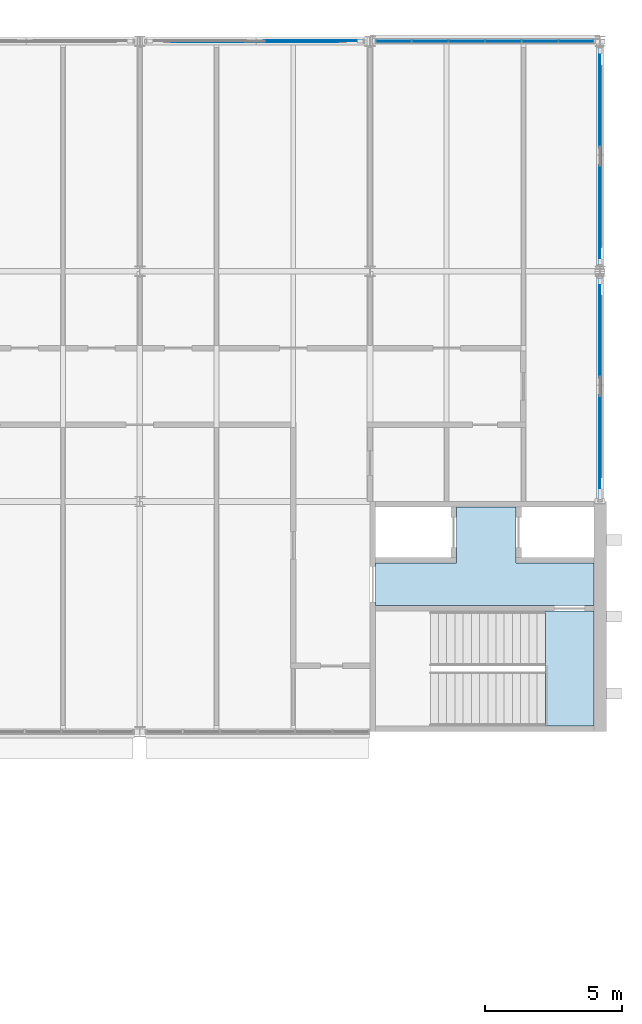
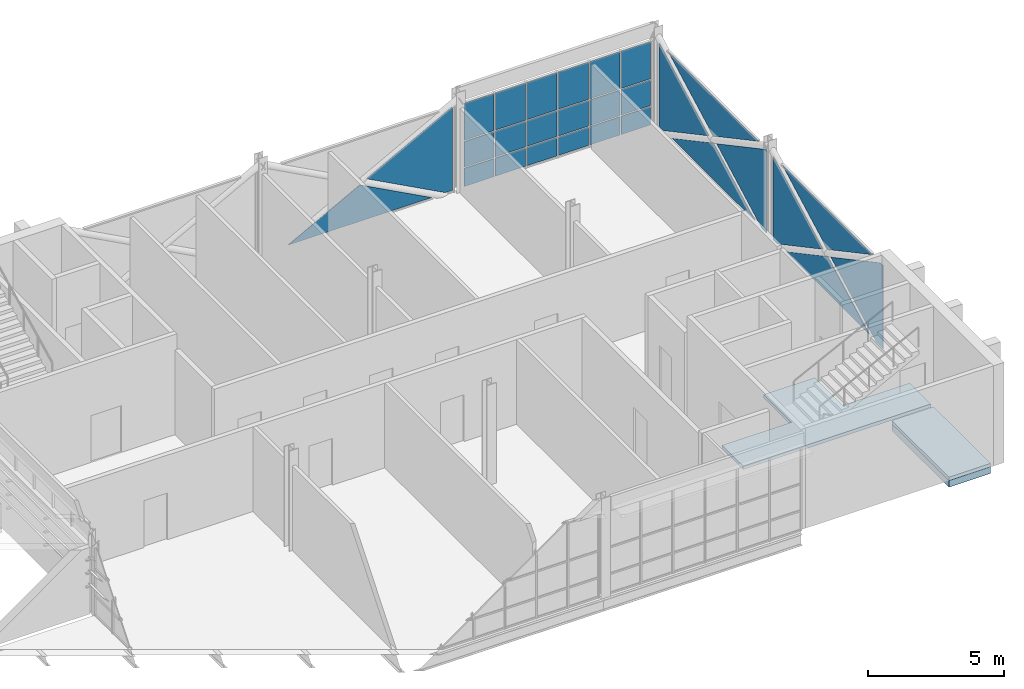
# One storey, part 19 of 29: 28 plates, 3 slabs, 4 elements without a shape of their own.
"""IFC4 building model written with IfcOpenShell, lengths in metres."""

from ifc_helpers import new_model, si_unit, direction, frame, origin, origin_2d, place, context, subcontext, project, spatial, polyline, rectangle, outline, extrude, material, layer, layer_set, type_object, element, aggregate, save


model = new_model("IFC4")

# Units and contexts
model_context = context("Model", 3, precision=1e-05, world=origin(), true_north=direction((0.0, 1.0)))
body_context = subcontext(model_context, "Body", "Model", "MODEL_VIEW")
ifc_project = project(units=[si_unit("LENGTHUNIT", "METRE"), si_unit("AREAUNIT", "SQUARE_METRE"), si_unit("VOLUMEUNIT", "CUBIC_METRE"), si_unit("PLANEANGLEUNIT", "RADIAN"), si_unit("MASSUNIT", "GRAM", prefix="KILO")], contexts=[model_context])

# Site, building, storey
site_placement = place(None, origin())
site = spatial("IfcSite", under=ifc_project, at=site_placement, CompositionType="ELEMENT")
building_placement = place(site_placement, origin())
building = spatial("IfcBuilding", under=site, at=building_placement, Name="Ardhachandra Cancer Care Centre", CompositionType="ELEMENT")
storey_placement = place(building_placement, frame((0.0, 0.0, 13.5)))
storey = spatial("IfcBuildingStorey", under=building, at=storey_placement, Name="L03", CompositionType="ELEMENT", Elevation=13.5)

# Slabs
ifc_material_1 = material(Name="Concrete M40", Category="concrete")
ifc_layer_1 = layer(ifc_material_1, 0.14990234375)
ifc_layer_set_1 = layer_set([ifc_layer_1], Name="Concrete M40")
slab_type_1 = type_object("IfcSlabType", Name="Core floor slab 150", PredefinedType="FLOOR", material=ifc_layer_set_1)
slab_1_placement = place(storey_placement, frame((0.0, 0.0, -0.14990234375)))
element("IfcSlab", 1, at=slab_1_placement, inside=storey, type_object=slab_type_1, Name="Core floor slab K13 L03 1", PredefinedType="FLOOR", context=body_context, shape_type="SweptSolid", body=[
    extrude(outline(polyline([(144.97509765625, 80.0), (144.97509765625, 84.199951171875), (143.199951171875, 84.199951171875), (143.199951171875, 80.0), (144.97509765625, 80.0)])), origin(), (0.0, 0.0, 1.0), 0.14990234375),
])
slab_2_placement = place(storey_placement, frame((0.0, 0.0, -0.14990234375)))
element("IfcSlab", 2, at=slab_2_placement, inside=storey, type_object=slab_type_1, Name="Core floor slab K13 L03 2", PredefinedType="FLOOR", context=body_context, shape_type="SweptSolid", body=[
    extrude(outline(polyline([(139.949951171875, 88.0), (139.949951171875, 86.14990234375), (139.949951171875, 85.949951171875), (137.0, 85.949951171875), (137.0, 84.39990234375), (144.97509765625, 84.39990234375), (144.97509765625, 85.949951171875), (142.125, 85.949951171875), (142.125, 86.14990234375), (142.125, 88.0), (139.949951171875, 88.0)])), origin(), (0.0, 0.0, 1.0), 0.14990234375),
])
ifc_material_2 = material(Name="Concrete M40", Category="concrete")
ifc_layer_2 = layer(ifc_material_2, 0.300048828125)
ifc_layer_set_2 = layer_set([ifc_layer_2], Name="Concrete M40")
slab_type_2 = type_object("IfcSlabType", Name="Core stair edge slab 300", PredefinedType="FLOOR", material=ifc_layer_set_2)
slab_3_placement = place(storey_placement, frame((0.0, 0.0, -0.449951171875)))
element("IfcSlab", 3, at=slab_3_placement, inside=storey, type_object=slab_type_2, Name="Core stair edge slab K13 L03", PredefinedType="FLOOR", context=body_context, shape_type="SweptSolid", body=[
    extrude(outline(polyline([(143.199951171875, 80.0), (143.199951171875, 84.199951171875), (144.97509765625, 84.199951171875), (144.97509765625, 80.0), (143.199951171875, 80.0)])), origin(), (0.0, 0.0, 1.0), 0.300048828125),
])

# Curtain wall, plates
ifc_material_3 = material(Name="Aluminium extrusion", Category="aluminium")
ifc_layer_3 = layer(ifc_material_3, 0.14990234375)
ifc_layer_set_3 = layer_set([ifc_layer_3], Name="Aluminium extrusion")
curtain_wall_type = type_object("IfcCurtainWallType", Name="Curtain wall run", PredefinedType="NOTDEFINED", material=ifc_layer_set_3)
curtain_wall_1_placement = place(storey_placement, origin())
curtain_wall_1 = element("IfcCurtainWall", 4, at=curtain_wall_1_placement, inside=storey, type_object=curtain_wall_type, Name="Curtain wall L03 e/0145200_0088200", PredefinedType="NOTDEFINED")
ifc_material_4 = material(Name="Low-iron double-glazed unit")
ifc_layer_4 = layer(ifc_material_4, 0.028076171875)
ifc_layer_set_4 = layer_set([ifc_layer_4], Name="Low-iron double-glazed unit")
plate_type_1 = type_object("IfcPlateType", Name="Curtain wall glazing 28", PredefinedType="CURTAIN_PANEL", material=ifc_layer_set_4)
plate_1_placement = place(storey_placement, frame((145.199951171875, 96.35791015625, 3.7900390625), z_axis=(-1.0, 0.0, 0.0), x_axis=(0.0, 0.0, -1.0)))
plate_1 = element("IfcPlate", 5, at=plate_1_placement, type_object=plate_type_1, Name="CW panel 1.1", PredefinedType="CURTAIN_PANEL", context=body_context, shape_type="SweptSolid", body=[
    extrude(outline(polyline([(0.0, 0.0), (3.72998046875, 0.0), (3.72998046875, 0.325439453125), (1.93994140625, 3.666748046875), (0.0, 0.04541015625), (0.0, 0.0)])), origin(), (0.0, 0.0, 1.0), 0.028076171875),
])
plate_2_placement = place(storey_placement, frame((145.199951171875, 95.730224609375, 3.7900390625), z_axis=(-1.0, 0.0, 0.0), x_axis=(0.0, -0.881498222146, -0.472187340314)))
plate_2 = element("IfcPlate", 6, at=plate_2_placement, type_object=plate_type_1, Name="CW panel 1.1", PredefinedType="CURTAIN_PANEL", context=body_context, shape_type="SweptSolid", body=[
    extrude(outline(polyline([(0.0, 0.0), (3.778076171875, 0.0), (5.87109375, 3.14501953125), (0.0, 0.0)])), frame((0.0, 0.0, -0.028076171875)), (0.0, 0.0, 1.0), 0.028076171875),
])
plate_3_placement = place(storey_placement, frame((145.199951171875, 88.260009765625, 0.06005859375), z_axis=(-1.0, 0.0, 0.0), x_axis=(0.0, 0.0, 1.0)))
plate_3 = element("IfcPlate", 7, at=plate_3_placement, type_object=plate_type_1, Name="CW panel 1.1", PredefinedType="CURTAIN_PANEL", context=body_context, shape_type="SweptSolid", body=[
    extrude(outline(polyline([(0.0, 0.0), (3.72998046875, 0.0), (3.72998046875, 0.2275390625), (1.7900390625, 3.848876953125), (0.0, 0.507568359375), (0.0, 0.0)])), origin(), (0.0, 0.0, 1.0), 0.028076171875),
])
plate_4_placement = place(storey_placement, frame((145.199951171875, 89.349853515625, 0.06005859375), z_axis=(-1.0, 0.0, 0.0), x_axis=(0.0, 0.881470529599, 0.472239034228)))
plate_4 = element("IfcPlate", 8, at=plate_4_placement, type_object=plate_type_1, Name="CW panel 1.1", PredefinedType="CURTAIN_PANEL", context=body_context, shape_type="SweptSolid", body=[
    extrude(outline(polyline([(0.0, 0.0), (3.460205078125, 0.0), (5.377197265625, 2.880859375), (0.0, 0.0)])), frame((0.0, 0.0, -0.028076171875)), (0.0, 0.0, 1.0), 0.028076171875),
])
aggregate(curtain_wall_1, [plate_1, plate_2, plate_3, plate_4])

curtain_wall_2_placement = place(storey_placement, origin())
curtain_wall_2 = element("IfcCurtainWall", 9, at=curtain_wall_2_placement, inside=storey, type_object=curtain_wall_type, Name="Curtain wall L03 e/0145200_0096600", PredefinedType="NOTDEFINED")
plate_5_placement = place(storey_placement, frame((145.199951171875, 104.758056640625, 3.7900390625), z_axis=(-1.0, 0.0, 0.0), x_axis=(0.0, 0.0, -1.0)))
plate_5 = element("IfcPlate", 10, at=plate_5_placement, type_object=plate_type_1, Name="CW panel 1.1", PredefinedType="CURTAIN_PANEL", context=body_context, shape_type="SweptSolid", body=[
    extrude(outline(polyline([(0.0, 0.0), (3.72998046875, 0.0), (3.72998046875, 0.325439453125), (1.93994140625, 3.6669921875), (0.0, 0.045654296875), (0.0, 0.0)])), origin(), (0.0, 0.0, 1.0), 0.028076171875),
])
plate_6_placement = place(storey_placement, frame((145.199951171875, 104.130126953125, 3.7900390625), z_axis=(-1.0, 0.0, 0.0), x_axis=(0.0, -0.881483812908, -0.47221423907)))
plate_6 = element("IfcPlate", 11, at=plate_6_placement, type_object=plate_type_1, Name="CW panel 1.1", PredefinedType="CURTAIN_PANEL", context=body_context, shape_type="SweptSolid", body=[
    extrude(outline(polyline([(0.0, 0.0), (3.77783203125, 0.0), (5.87109375, 3.14501953125), (0.0, 0.0)])), frame((0.0, 0.0, -0.028076171875)), (0.0, 0.0, 1.0), 0.028076171875),
])
plate_7_placement = place(storey_placement, frame((145.199951171875, 96.842041015625, 0.06005859375), z_axis=(-1.0, 0.0, 0.0), x_axis=(0.0, 0.0, 1.0)))
plate_7 = element("IfcPlate", 12, at=plate_7_placement, type_object=plate_type_1, Name="CW panel 1.1", PredefinedType="CURTAIN_PANEL", context=body_context, shape_type="SweptSolid", body=[
    extrude(outline(polyline([(0.0, 0.0), (3.72998046875, 0.0), (3.72998046875, 0.04541015625), (1.7900390625, 3.666748046875), (0.0, 0.325439453125), (0.0, 0.0)])), origin(), (0.0, 0.0, 1.0), 0.028076171875),
])
plate_8_placement = place(storey_placement, frame((145.199951171875, 97.749755859375, 0.06005859375), z_axis=(-1.0, 0.0, 0.0), x_axis=(0.0, 0.881486263061, 0.472209665333)))
plate_8 = element("IfcPlate", 13, at=plate_8_placement, type_object=plate_type_1, Name="CW panel 1.1", PredefinedType="CURTAIN_PANEL", context=body_context, shape_type="SweptSolid", body=[
    extrude(outline(polyline([(0.0, 0.0), (3.46044921875, 0.0), (5.37744140625, 2.880615234375), (0.0, 0.0)])), frame((0.0, 0.0, -0.028076171875)), (0.0, 0.0, 1.0), 0.028076171875),
])
aggregate(curtain_wall_2, [plate_5, plate_6, plate_7, plate_8])

curtain_wall_3_placement = place(storey_placement, origin())
curtain_wall_3 = element("IfcCurtainWall", 14, at=curtain_wall_3_placement, inside=storey, type_object=curtain_wall_type, Name="Curtain wall L03 n/0128400_0105000", PredefinedType="NOTDEFINED")
plate_9_placement = place(storey_placement, frame((136.554443359375, 105.0, 3.7900390625), z_axis=(0.0, 1.0, 0.0), x_axis=(0.0, 0.0, -1.0)))
plate_9 = element("IfcPlate", 15, at=plate_9_placement, type_object=plate_type_1, Name="CW panel 1.1", PredefinedType="CURTAIN_PANEL", context=body_context, shape_type="SweptSolid", body=[
    extrude(outline(polyline([(0.0, 0.0), (3.72998046875, 0.0), (3.72998046875, 0.322021484375), (1.93994140625, 3.663330078125), (0.0, 0.0419921875), (0.0, 0.0)])), origin(), (0.0, 0.0, 1.0), 0.028076171875),
])
plate_10_placement = place(storey_placement, frame((129.5498046875, 105.0, 0.06005859375), z_axis=(0.0, 1.0, 0.0), x_axis=(0.881486263061, 0.0, 0.472209665333)))
plate_10 = element("IfcPlate", 16, at=plate_10_placement, type_object=plate_type_1, Name="CW panel 1.1", PredefinedType="CURTAIN_PANEL", context=body_context, shape_type="SweptSolid", body=[
    extrude(outline(polyline([(0.0, 0.0), (3.46044921875, 0.0), (5.37744140625, 2.880615234375), (0.0, 0.0)])), frame((0.0, 0.0, -0.028076171875)), (0.0, 0.0, 1.0), 0.028076171875),
])
aggregate(curtain_wall_3, [plate_9, plate_10])

curtain_wall_4_placement = place(storey_placement, origin())
curtain_wall_4 = element("IfcCurtainWall", 17, at=curtain_wall_4_placement, inside=storey, type_object=curtain_wall_type, Name="Curtain wall L03 n/0136800_0105000", PredefinedType="NOTDEFINED")
plate_11_placement = place(storey_placement, frame((137.669677734375, 105.0, 0.93017578125), z_axis=(0.0, 0.0, 1.0), x_axis=(1.0, 0.0, 0.0)))
plate_11 = element("IfcPlate", 18, at=plate_11_placement, type_object=plate_type_1, Name="CW panel 1.2", PredefinedType="CURTAIN_PANEL", context=body_context, shape_type="SweptSolid", body=[
    extrude(rectangle(XDim=1.248046875, YDim=0.028076171875, at=origin_2d()), origin(), (0.0, 0.0, 1.0), 1.139892578125),
])
plate_12_placement = place(storey_placement, frame((137.669677734375, 105.0, 2.1298828125), z_axis=(0.0, 0.0, 1.0), x_axis=(1.0, 0.0, 0.0)))
plate_12 = element("IfcPlate", 19, at=plate_12_placement, type_object=plate_type_1, Name="CW panel 1.3", PredefinedType="CURTAIN_PANEL", context=body_context, shape_type="SweptSolid", body=[
    extrude(rectangle(XDim=1.248046875, YDim=0.028076171875, at=origin_2d()), origin(), (0.0, 0.0, 1.0), 1.659912109375),
])
plate_13_placement = place(storey_placement, frame((138.99267578125, 105.0, 0.93017578125), z_axis=(0.0, 0.0, 1.0), x_axis=(1.0, 0.0, 0.0)))
plate_13 = element("IfcPlate", 20, at=plate_13_placement, type_object=plate_type_1, Name="CW panel 2.2", PredefinedType="CURTAIN_PANEL", context=body_context, shape_type="SweptSolid", body=[
    extrude(rectangle(XDim=1.278076171875, YDim=0.028076171875, at=origin_2d()), origin(), (0.0, 0.0, 1.0), 1.139892578125),
])
plate_14_placement = place(storey_placement, frame((138.99267578125, 105.0, 2.1298828125), z_axis=(0.0, 0.0, 1.0), x_axis=(1.0, 0.0, 0.0)))
plate_14 = element("IfcPlate", 21, at=plate_14_placement, type_object=plate_type_1, Name="CW panel 2.3", PredefinedType="CURTAIN_PANEL", context=body_context, shape_type="SweptSolid", body=[
    extrude(rectangle(XDim=1.278076171875, YDim=0.028076171875, at=origin_2d()), origin(), (0.0, 0.0, 1.0), 1.659912109375),
])
plate_15_placement = place(storey_placement, frame((140.330810546875, 105.0, 0.93017578125), z_axis=(0.0, 0.0, 1.0), x_axis=(1.0, 0.0, 0.0)))
plate_15 = element("IfcPlate", 22, at=plate_15_placement, type_object=plate_type_1, Name="CW panel 3.2", PredefinedType="CURTAIN_PANEL", context=body_context, shape_type="SweptSolid", body=[
    extrude(rectangle(XDim=1.278076171875, YDim=0.028076171875, at=origin_2d()), origin(), (0.0, 0.0, 1.0), 1.139892578125),
])
plate_16_placement = place(storey_placement, frame((140.330810546875, 105.0, 2.1298828125), z_axis=(0.0, 0.0, 1.0), x_axis=(1.0, 0.0, 0.0)))
plate_16 = element("IfcPlate", 23, at=plate_16_placement, type_object=plate_type_1, Name="CW panel 3.3", PredefinedType="CURTAIN_PANEL", context=body_context, shape_type="SweptSolid", body=[
    extrude(rectangle(XDim=1.278076171875, YDim=0.028076171875, at=origin_2d()), origin(), (0.0, 0.0, 1.0), 1.659912109375),
])
plate_17_placement = place(storey_placement, frame((141.669189453125, 105.0, 0.93017578125), z_axis=(0.0, 0.0, 1.0), x_axis=(1.0, 0.0, 0.0)))
plate_17 = element("IfcPlate", 24, at=plate_17_placement, type_object=plate_type_1, Name="CW panel 4.2", PredefinedType="CURTAIN_PANEL", context=body_context, shape_type="SweptSolid", body=[
    extrude(rectangle(XDim=1.278076171875, YDim=0.028076171875, at=origin_2d()), origin(), (0.0, 0.0, 1.0), 1.139892578125),
])
plate_18_placement = place(storey_placement, frame((141.669189453125, 105.0, 2.1298828125), z_axis=(0.0, 0.0, 1.0), x_axis=(1.0, 0.0, 0.0)))
plate_18 = element("IfcPlate", 25, at=plate_18_placement, type_object=plate_type_1, Name="CW panel 4.3", PredefinedType="CURTAIN_PANEL", context=body_context, shape_type="SweptSolid", body=[
    extrude(rectangle(XDim=1.278076171875, YDim=0.028076171875, at=origin_2d()), origin(), (0.0, 0.0, 1.0), 1.659912109375),
])
plate_19_placement = place(storey_placement, frame((143.00732421875, 105.0, 0.93017578125), z_axis=(0.0, 0.0, 1.0), x_axis=(1.0, 0.0, 0.0)))
plate_19 = element("IfcPlate", 26, at=plate_19_placement, type_object=plate_type_1, Name="CW panel 5.2", PredefinedType="CURTAIN_PANEL", context=body_context, shape_type="SweptSolid", body=[
    extrude(rectangle(XDim=1.278076171875, YDim=0.028076171875, at=origin_2d()), origin(), (0.0, 0.0, 1.0), 1.139892578125),
])
plate_20_placement = place(storey_placement, frame((143.00732421875, 105.0, 2.1298828125), z_axis=(0.0, 0.0, 1.0), x_axis=(1.0, 0.0, 0.0)))
plate_20 = element("IfcPlate", 27, at=plate_20_placement, type_object=plate_type_1, Name="CW panel 5.3", PredefinedType="CURTAIN_PANEL", context=body_context, shape_type="SweptSolid", body=[
    extrude(rectangle(XDim=1.278076171875, YDim=0.028076171875, at=origin_2d()), origin(), (0.0, 0.0, 1.0), 1.659912109375),
])
plate_21_placement = place(storey_placement, frame((144.330322265625, 105.0, 0.93017578125), z_axis=(0.0, 0.0, 1.0), x_axis=(1.0, 0.0, 0.0)))
plate_21 = element("IfcPlate", 28, at=plate_21_placement, type_object=plate_type_1, Name="CW panel 6.2", PredefinedType="CURTAIN_PANEL", context=body_context, shape_type="SweptSolid", body=[
    extrude(rectangle(XDim=1.248046875, YDim=0.028076171875, at=origin_2d()), origin(), (0.0, 0.0, 1.0), 1.139892578125),
])
plate_22_placement = place(storey_placement, frame((144.330322265625, 105.0, 2.1298828125), z_axis=(0.0, 0.0, 1.0), x_axis=(1.0, 0.0, 0.0)))
plate_22 = element("IfcPlate", 29, at=plate_22_placement, type_object=plate_type_1, Name="CW panel 6.3", PredefinedType="CURTAIN_PANEL", context=body_context, shape_type="SweptSolid", body=[
    extrude(rectangle(XDim=1.248046875, YDim=0.028076171875, at=origin_2d()), origin(), (0.0, 0.0, 1.0), 1.659912109375),
])
ifc_material_5 = material(Name="Aluminium composite spandrel panel", Category="aluminium")
ifc_layer_5 = layer(ifc_material_5, 0.028076171875)
ifc_layer_set_5 = layer_set([ifc_layer_5], Name="Aluminium composite spandrel panel")
plate_type_2 = type_object("IfcPlateType", Name="Curtain wall spandrel panel 28", PredefinedType="CURTAIN_PANEL", material=ifc_layer_set_5)
plate_23_placement = place(storey_placement, frame((137.669677734375, 105.0, 0.06005859375), z_axis=(0.0, 0.0, 1.0), x_axis=(1.0, 0.0, 0.0)))
plate_23 = element("IfcPlate", 30, at=plate_23_placement, type_object=plate_type_2, Name="CW panel 1.1", PredefinedType="CURTAIN_PANEL", context=body_context, shape_type="SweptSolid", body=[
    extrude(rectangle(XDim=1.248046875, YDim=0.028076171875, at=origin_2d()), origin(), (0.0, 0.0, 1.0), 0.81005859375),
])
plate_24_placement = place(storey_placement, frame((138.99267578125, 105.0, 0.06005859375), z_axis=(0.0, 0.0, 1.0), x_axis=(1.0, 0.0, 0.0)))
plate_24 = element("IfcPlate", 31, at=plate_24_placement, type_object=plate_type_2, Name="CW panel 2.1", PredefinedType="CURTAIN_PANEL", context=body_context, shape_type="SweptSolid", body=[
    extrude(rectangle(XDim=1.278076171875, YDim=0.028076171875, at=origin_2d()), origin(), (0.0, 0.0, 1.0), 0.81005859375),
])
plate_25_placement = place(storey_placement, frame((140.330810546875, 105.0, 0.06005859375), z_axis=(0.0, 0.0, 1.0), x_axis=(1.0, 0.0, 0.0)))
plate_25 = element("IfcPlate", 32, at=plate_25_placement, type_object=plate_type_2, Name="CW panel 3.1", PredefinedType="CURTAIN_PANEL", context=body_context, shape_type="SweptSolid", body=[
    extrude(rectangle(XDim=1.278076171875, YDim=0.028076171875, at=origin_2d()), origin(), (0.0, 0.0, 1.0), 0.81005859375),
])
plate_26_placement = place(storey_placement, frame((141.669189453125, 105.0, 0.06005859375), z_axis=(0.0, 0.0, 1.0), x_axis=(1.0, 0.0, 0.0)))
plate_26 = element("IfcPlate", 33, at=plate_26_placement, type_object=plate_type_2, Name="CW panel 4.1", PredefinedType="CURTAIN_PANEL", context=body_context, shape_type="SweptSolid", body=[
    extrude(rectangle(XDim=1.278076171875, YDim=0.028076171875, at=origin_2d()), origin(), (0.0, 0.0, 1.0), 0.81005859375),
])
plate_27_placement = place(storey_placement, frame((143.00732421875, 105.0, 0.06005859375), z_axis=(0.0, 0.0, 1.0), x_axis=(1.0, 0.0, 0.0)))
plate_27 = element("IfcPlate", 34, at=plate_27_placement, type_object=plate_type_2, Name="CW panel 5.1", PredefinedType="CURTAIN_PANEL", context=body_context, shape_type="SweptSolid", body=[
    extrude(rectangle(XDim=1.278076171875, YDim=0.028076171875, at=origin_2d()), origin(), (0.0, 0.0, 1.0), 0.81005859375),
])
plate_28_placement = place(storey_placement, frame((144.330322265625, 105.0, 0.06005859375), z_axis=(0.0, 0.0, 1.0), x_axis=(1.0, 0.0, 0.0)))
plate_28 = element("IfcPlate", 35, at=plate_28_placement, type_object=plate_type_2, Name="CW panel 6.1", PredefinedType="CURTAIN_PANEL", context=body_context, shape_type="SweptSolid", body=[
    extrude(rectangle(XDim=1.248046875, YDim=0.028076171875, at=origin_2d()), origin(), (0.0, 0.0, 1.0), 0.81005859375),
])
aggregate(curtain_wall_4, [plate_23, plate_11, plate_12, plate_24, plate_13, plate_14, plate_25, plate_15, plate_16, plate_26, plate_17, plate_18, plate_27, plate_19, plate_20, plate_28, plate_21, plate_22])

save(model, "model.ifc")
